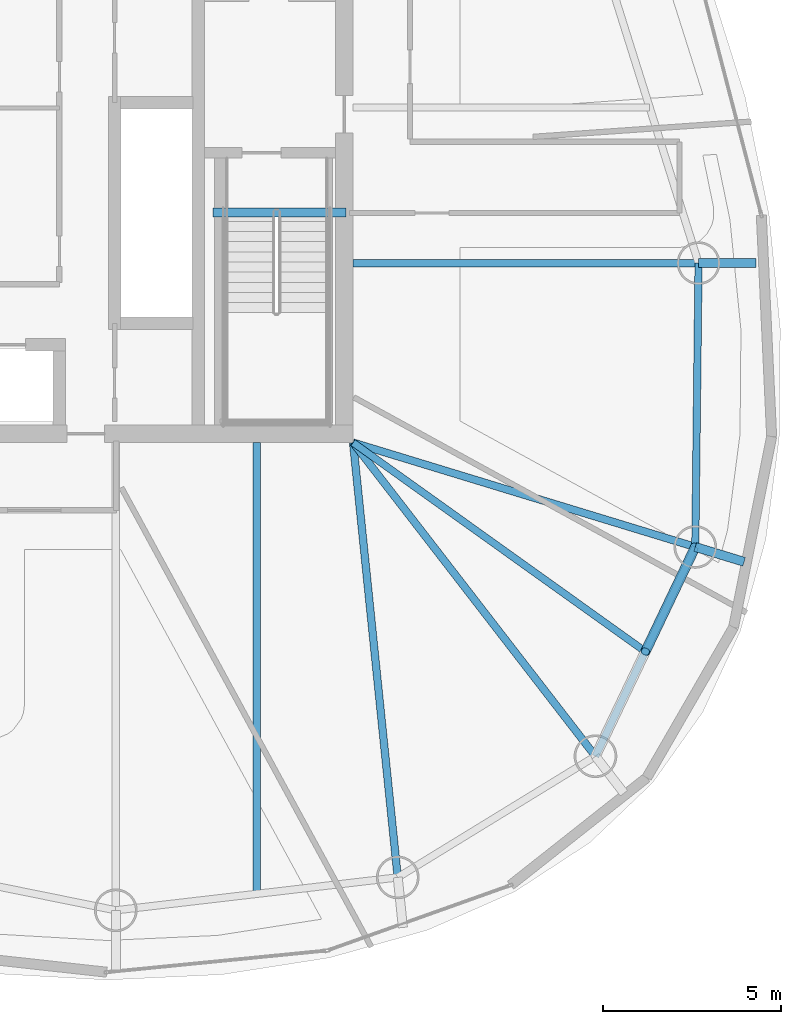
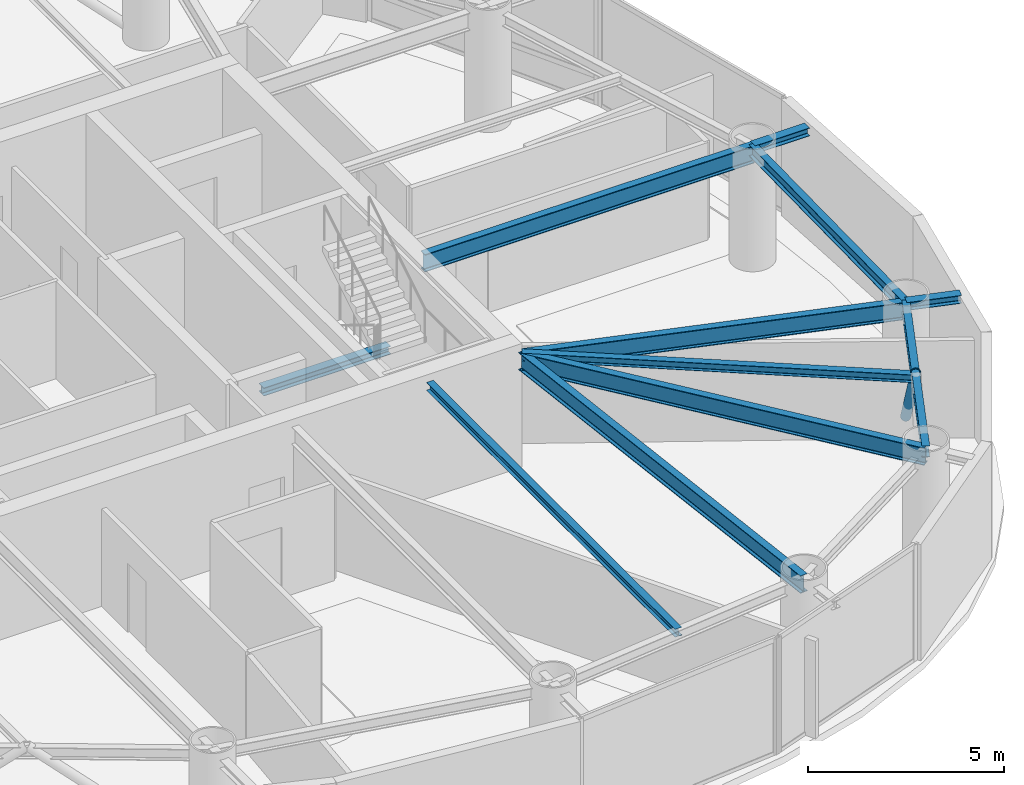
# One storey, part 9 of 23: 11 beams, 1 member.
"""IFC4 building model written with IfcOpenShell, lengths in metres."""

from ifc_helpers import new_model, si_unit, direction, frame, origin, origin_2d, place, context, subcontext, project, spatial, hollow_circle, i_section, extrude, material, material_profile, profile_set, type_object, element, save


model = new_model("IFC4")

# Units and contexts
model_context = context("Model", 3, precision=1e-05, world=origin(), true_north=direction((0.0, 1.0)))
body_context = subcontext(model_context, "Body", "Model", "MODEL_VIEW")
ifc_project = project(units=[si_unit("LENGTHUNIT", "METRE"), si_unit("AREAUNIT", "SQUARE_METRE"), si_unit("VOLUMEUNIT", "CUBIC_METRE"), si_unit("PLANEANGLEUNIT", "RADIAN"), si_unit("MASSUNIT", "GRAM", prefix="KILO")], contexts=[model_context])

# Site, building, storey
site_placement = place(None, origin())
site = spatial("IfcSite", under=ifc_project, at=site_placement, CompositionType="ELEMENT")
building_placement = place(site_placement, origin())
building = spatial("IfcBuilding", under=site, at=building_placement, Name="Bramvorn Convention Spire", CompositionType="ELEMENT")
storey_placement = place(building_placement, frame((0.0, 0.0, 194.300048828125)))
storey = spatial("IfcBuildingStorey", under=building, at=storey_placement, Name="L49", CompositionType="ELEMENT", Elevation=194.300048828125)

# Beams
ifc_material = material(Name="Steel CSA G40.21 Grade 350 (350W)", Category="steel")
ifc_material_profile_1 = material_profile(ifc_material, i_section(OverallWidth=0.201904296875, OverallDepth=0.2470703125, WebThickness=0.00732421875, FlangeThickness=0.010986328125, FilletRadius=0.011962890625, at=origin_2d()))
ifc_profile_set_1 = profile_set([ifc_material_profile_1], Name="Steel CSA G40.21 Grade 350 (350W) - W250X49")
beam_type_1 = type_object("IfcBeamType", Name="BM-W250X49", PredefinedType="JOIST", material=ifc_profile_set_1)
beam_1_placement = place(storey_placement, frame((49.25, 18.550048828125, 3.496337890625), z_axis=(0.813471895271, -0.581604225916, 0.0), x_axis=(0.581604225916, 0.813471895271, 0.0)))
element("IfcBeam", 1, at=beam_1_placement, inside=storey, type_object=beam_type_1, Name="L49 composite floor joist 01", PredefinedType="JOIST", context=body_context, shape_type="SweptSolid", body=[
    extrude(i_section(OverallWidth=0.201904296875, OverallDepth=0.2470703125, WebThickness=0.00732421875, FlangeThickness=0.010986328125, FilletRadius=0.011962890625, at=origin_2d()), origin(), (0.0, 0.0, 1.0), 10.093505859375),
])
beam_2_placement = place(storey_placement, frame((46.544189453125, 18.550048828125, 3.496337890625), z_axis=(0.0, -1.0, 0.0), x_axis=(1.0, 0.0, 0.0)))
element("IfcBeam", 2, at=beam_2_placement, inside=storey, type_object=beam_type_1, Name="L49 composite floor joist 15", PredefinedType="JOIST", context=body_context, shape_type="SweptSolid", body=[
    extrude(i_section(OverallWidth=0.201904296875, OverallDepth=0.2470703125, WebThickness=0.00732421875, FlangeThickness=0.010986328125, FilletRadius=0.011962890625, at=origin_2d()), origin(), (0.0, 0.0, 1.0), 12.67626953125),
])
ifc_material_profile_2 = material_profile(ifc_material, i_section(OverallWidth=0.25390625, OverallDepth=0.2529296875, WebThickness=0.008544921875, FlangeThickness=0.01416015625, FilletRadius=0.011962890625, at=origin_2d()))
ifc_profile_set_2 = profile_set([ifc_material_profile_2], Name="Steel CSA G40.21 Grade 350 (350W) - W250X73")
beam_type_2 = type_object("IfcBeamType", Name="BM-W250X73", PredefinedType="BEAM", material=ifc_profile_set_2)
beam_3_placement = place(storey_placement, frame((58.863037109375, 15.619384765625, 3.493408203125), z_axis=(0.956570716438, -0.291500367843, 0.0), x_axis=(0.291500367843, 0.956570716438, 0.0)))
element("IfcBeam", 3, at=beam_3_placement, inside=storey, type_object=beam_type_2, Name="L49 slab-edge cantilever tip beam MC02", PredefinedType="BEAM", context=body_context, shape_type="SweptSolid", body=[
    extrude(i_section(OverallWidth=0.25390625, OverallDepth=0.2529296875, WebThickness=0.008544921875, FlangeThickness=0.01416015625, FilletRadius=0.011962890625, at=origin_2d()), origin(), (0.0, 0.0, 1.0), 1.433837890625),
])
beam_4_placement = place(storey_placement, frame((58.95458984375, 23.593505859375, 3.493408203125), z_axis=(1.0, 0.0, 0.0), x_axis=(0.0, 1.0, 0.0)))
element("IfcBeam", 4, at=beam_4_placement, inside=storey, type_object=beam_type_2, Name="L49 slab-edge cantilever tip beam MC03", PredefinedType="BEAM", context=body_context, shape_type="SweptSolid", body=[
    extrude(i_section(OverallWidth=0.25390625, OverallDepth=0.2529296875, WebThickness=0.008544921875, FlangeThickness=0.01416015625, FilletRadius=0.011962890625, at=origin_2d()), origin(), (0.0, 0.0, 1.0), 1.61279296875),
])
beam_5_placement = place(storey_placement, frame((45.31005859375, 25.010009765625, -0.12646484375), z_axis=(1.0, 0.0, 0.0), x_axis=(0.0, 1.0, 0.0)))
element("IfcBeam", 5, at=beam_5_placement, inside=storey, type_object=beam_type_2, Name="L49 ST2 stair arrival header beam", PredefinedType="BEAM", context=body_context, shape_type="SweptSolid", body=[
    extrude(i_section(OverallWidth=0.25390625, OverallDepth=0.2529296875, WebThickness=0.008544921875, FlangeThickness=0.01416015625, FilletRadius=0.011962890625, at=origin_2d()), origin(), (0.0, 0.0, 1.0), 3.739990234375),
])
ifc_material_profile_3 = material_profile(ifc_material, i_section(OverallWidth=0.205078125, OverallDepth=0.35400390625, WebThickness=0.009521484375, FlangeThickness=0.016845703125, FilletRadius=0.014892578125, at=origin_2d()))
ifc_profile_set_3 = profile_set([ifc_material_profile_3], Name="Steel CSA G40.21 Grade 350 (350W) - W360X79")
beam_type_3 = type_object("IfcBeamType", Name="BM-W360X79", PredefinedType="JOIST", material=ifc_profile_set_3)
beam_6_placement = place(storey_placement, frame((56.058349609375, 9.739990234375, 3.44287109375), z_axis=(0.430556138422, 0.902563799223, 0.0), x_axis=(-0.902563799223, 0.430556138422, 0.0)))
element("IfcBeam", 6, at=beam_6_placement, inside=storey, type_object=beam_type_3, Name="L49 mega-column ring beam 01", PredefinedType="JOIST", context=body_context, shape_type="SweptSolid", body=[
    extrude(i_section(OverallWidth=0.205078125, OverallDepth=0.35400390625, WebThickness=0.009521484375, FlangeThickness=0.016845703125, FilletRadius=0.014892578125, at=origin_2d()), origin(), (0.0, 0.0, 1.0), 6.51416015625),
])
beam_7_placement = place(storey_placement, frame((58.863037109375, 15.619384765625, 3.44287109375), z_axis=(0.011480475367, 0.999934097171, 0.0), x_axis=(-0.999934097171, 0.011480475367, 0.0)))
element("IfcBeam", 7, at=beam_7_placement, inside=storey, type_object=beam_type_3, Name="L49 mega-column ring beam 02", PredefinedType="JOIST", context=body_context, shape_type="SweptSolid", body=[
    extrude(i_section(OverallWidth=0.205078125, OverallDepth=0.35400390625, WebThickness=0.009521484375, FlangeThickness=0.016845703125, FilletRadius=0.014892578125, at=origin_2d()), origin(), (0.0, 0.0, 1.0), 7.974609375),
])
ifc_material_profile_4 = material_profile(ifc_material, i_section(OverallWidth=0.2119140625, OverallDepth=0.5439453125, WebThickness=0.01318359375, FlangeThickness=0.021240234375, FilletRadius=0.01904296875, at=origin_2d()))
ifc_profile_set_4 = profile_set([ifc_material_profile_4], Name="Steel CSA G40.21 Grade 350 (350W) - W530X123")
beam_type_4 = type_object("IfcBeamType", Name="BM-W530X123", PredefinedType="BEAM", material=ifc_profile_set_4)
beam_8_placement = place(storey_placement, frame((49.25, 18.550048828125, 3.347900390625), z_axis=(0.611479951477, -0.791259925019, 0.0), x_axis=(0.791259925019, 0.611479951477, 0.0)))
element("IfcBeam", 8, at=beam_8_placement, inside=storey, type_object=beam_type_4, Name="L49 radial floor girder MC01", PredefinedType="BEAM", context=body_context, shape_type="SweptSolid", body=[
    extrude(i_section(OverallWidth=0.2119140625, OverallDepth=0.5439453125, WebThickness=0.01318359375, FlangeThickness=0.021240234375, FilletRadius=0.01904296875, at=origin_2d()), origin(), (0.0, 0.0, 1.0), 11.13427734375),
])
beam_9_placement = place(storey_placement, frame((49.25, 18.550048828125, 3.347900390625), z_axis=(0.95653637984, -0.291613021044, 0.0), x_axis=(0.291613021044, 0.95653637984, 0.0)))
element("IfcBeam", 9, at=beam_9_placement, inside=storey, type_object=beam_type_4, Name="L49 radial floor girder MC02", PredefinedType="BEAM", context=body_context, shape_type="SweptSolid", body=[
    extrude(i_section(OverallWidth=0.2119140625, OverallDepth=0.5439453125, WebThickness=0.01318359375, FlangeThickness=0.021240234375, FilletRadius=0.01904296875, at=origin_2d()), origin(), (0.0, 0.0, 1.0), 10.0498046875),
])
beam_10_placement = place(storey_placement, frame((49.25, 23.593505859375, 3.347900390625), z_axis=(1.0, 0.0, 0.0), x_axis=(0.0, 1.0, 0.0)))
element("IfcBeam", 10, at=beam_10_placement, inside=storey, type_object=beam_type_4, Name="L49 radial floor girder MC03", PredefinedType="BEAM", context=body_context, shape_type="SweptSolid", body=[
    extrude(i_section(OverallWidth=0.2119140625, OverallDepth=0.5439453125, WebThickness=0.01318359375, FlangeThickness=0.021240234375, FilletRadius=0.01904296875, at=origin_2d()), origin(), (0.0, 0.0, 1.0), 9.70458984375),
])
beam_11_placement = place(storey_placement, frame((49.25, 18.550048828125, 3.347900390625), z_axis=(0.10216509146, -0.994767457292, 0.0), x_axis=(0.994767457292, 0.10216509146, 0.0)))
element("IfcBeam", 11, at=beam_11_placement, inside=storey, type_object=beam_type_4, Name="L49 radial floor girder MC16", PredefinedType="BEAM", context=body_context, shape_type="SweptSolid", body=[
    extrude(i_section(OverallWidth=0.2119140625, OverallDepth=0.5439453125, WebThickness=0.01318359375, FlangeThickness=0.021240234375, FilletRadius=0.01904296875, at=origin_2d()), origin(), (0.0, 0.0, 1.0), 12.278076171875),
])

# Member
ifc_material_profile_5 = material_profile(ifc_material, hollow_circle(Radius=0.136474609375, WallThickness=0.0126953125, at=origin_2d()))
ifc_profile_set_5 = profile_set([ifc_material_profile_5], Name="Steel CSA G40.21 Grade 350 (350W) - CHS273X13")
member_type = type_object("IfcMemberType", Name="MBR-CHS273X13", PredefinedType="BRACE", material=ifc_profile_set_5)
member_placement = place(storey_placement, frame((58.863037109375, 15.619384765625, 0.0), z_axis=(-0.287986142668, -0.603697970728, 0.743379271819), x_axis=(0.902563799223, -0.430556138422, 0.0)))
element("IfcMember", 12, at=member_placement, inside=storey, type_object=member_type, Name="L49 perimeter Gothic lancet brace 1B", PredefinedType="BRACE", context=body_context, shape_type="SweptSolid", body=[
    extrude(hollow_circle(Radius=0.136474609375, WallThickness=0.0126953125, at=origin_2d()), origin(), (0.0, 0.0, 1.0), 4.869384765625),
])

save(model, "model.ifc")
